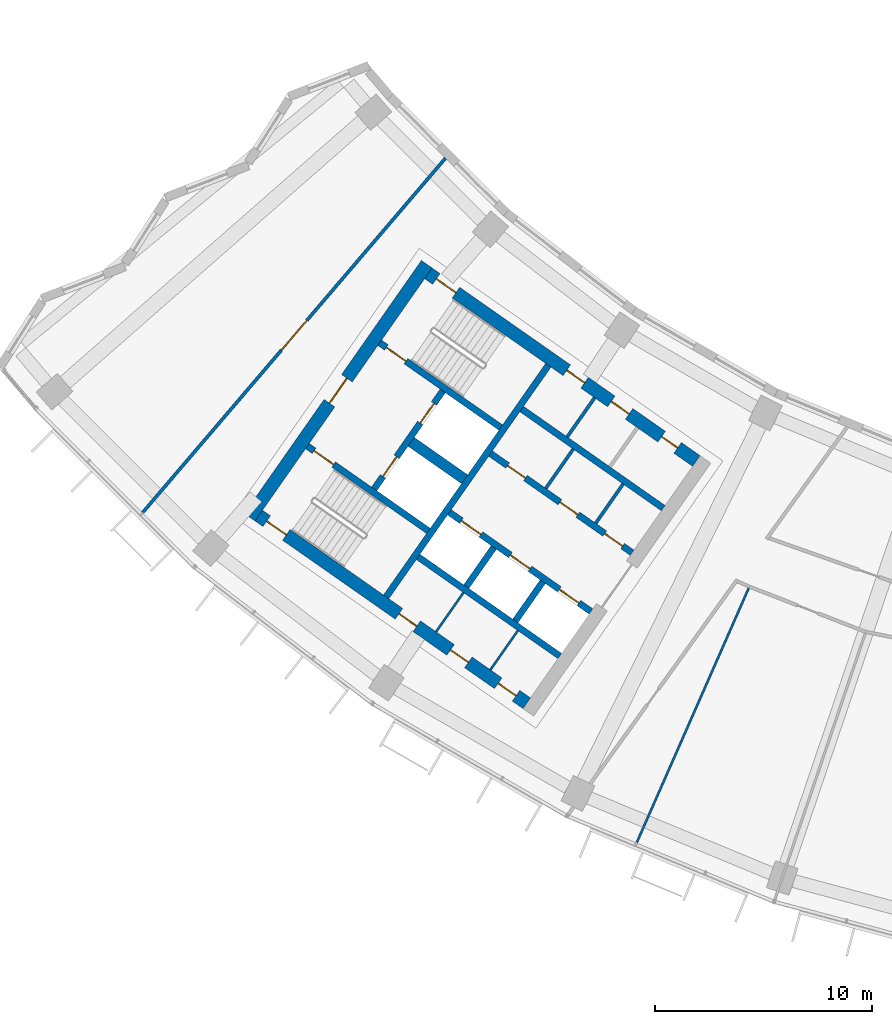
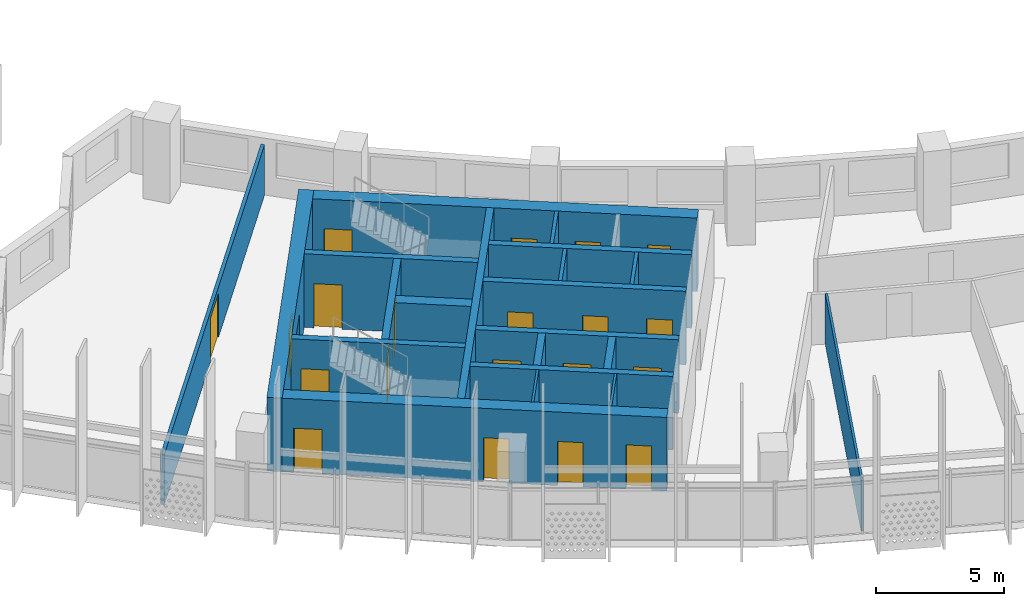
# One storey, part 3 of 27: 21 walls, 20 doors, 20 openings.
"""IFC4 building model written with IfcOpenShell, lengths in metres."""

from ifc_helpers import new_model, si_unit, direction, frame, frame_2d, origin, place, context, subcontext, project, spatial, rectangle, extrude, material, layer, layer_set, type_object, element, fill, save


model = new_model("IFC4")

# Units and contexts
model_context = context("Model", 3, precision=1e-05, world=origin(), true_north=direction((0.0, 1.0)))
body_context = subcontext(model_context, "Body", "Model", "MODEL_VIEW")
ifc_project = project(units=[si_unit("LENGTHUNIT", "METRE"), si_unit("AREAUNIT", "SQUARE_METRE"), si_unit("VOLUMEUNIT", "CUBIC_METRE"), si_unit("PLANEANGLEUNIT", "RADIAN"), si_unit("MASSUNIT", "GRAM", prefix="KILO")], contexts=[model_context])

# Site, building, storey
site_placement = place(None, origin())
site = spatial("IfcSite", under=ifc_project, at=site_placement, CompositionType="ELEMENT")
building_placement = place(site_placement, origin())
building = spatial("IfcBuilding", under=site, at=building_placement, Name="Qamariyya Broadcast Tower", CompositionType="ELEMENT")
storey_placement = place(building_placement, frame((0.0, 0.0, 172.10009765625)))
storey = spatial("IfcBuildingStorey", under=building, at=storey_placement, Name="L40", CompositionType="ELEMENT", Elevation=172.10009765625)

# Wall, opening, door
ifc_material_1 = material(Name="Concrete C60/75", Category="concrete")
ifc_layer_1 = layer(ifc_material_1, 0.60009765625)
ifc_layer_set_1 = layer_set([ifc_layer_1], Name="Core wall 600 mm Concrete C60/75")
wall_type_1 = type_object("IfcWallType", Name="Core wall 600 mm Concrete C60/75", PredefinedType="SHEAR", material=ifc_layer_set_1)
wall_1_placement = place(storey_placement, frame((-49.4833984375, -57.031494140625, 0.0), z_axis=(0.0, 0.0, 1.0), x_axis=(0.573560421458, 0.819163257805, 0.0)))
wall_1 = element("IfcWall", 1, at=wall_1_placement, inside=storey, type_object=wall_type_1, Name="k-W-L40-WH", PredefinedType="SHEAR", context=body_context, shape_type="SweptSolid", body=[
    extrude(rectangle(XDim=14.199951171875, YDim=0.60009765625, at=frame_2d((7.10009765625, 0.0))), origin(), (0.0, 0.0, 1.0), 3.5),
])
opening_1_placement = place(wall_1_placement, frame((6.39990234375, 0.0, 0.0)))
opening_1 = element("IfcOpeningElement", 2, at=opening_1_placement, cuts=wall_1, Name="Opening KD2-W1", PredefinedType="OPENING", context=body_context, shape_type="SweptSolid", body=[
    extrude(rectangle(XDim=1.39990234375, YDim=2.10009765625, at=frame_2d((0.699951171875, 1.050048828125))), frame((0.0, 0.31005859375, 0.0), z_axis=(0.0, -1.0, 0.0), x_axis=(1.0, 0.0, 0.0)), (0.0, 0.0, 1.0), 0.6201171875),
])
ifc_material_2 = material(Name="Steel fire-resisting door leaf", Category="steel")
door_type_1 = type_object("IfcDoorType", Name="Fire-fighting lobby door KD2", OperationType="DOUBLE_DOOR_SINGLE_SWING", PredefinedType="DOOR", material=ifc_material_2)
door_1_placement = place(opening_1_placement, origin())
door_1 = element("IfcDoor", 3, at=door_1_placement, inside=storey, type_object=door_type_1, Name="k-W-L40-WH-D16", OperationType="DOUBLE_DOOR_SINGLE_SWING", OverallHeight=2.10009765625, OverallWidth=1.39990234375, PredefinedType="DOOR", context=body_context, shape_type="SweptSolid", body=[
    extrude(rectangle(XDim=1.39990234375, YDim=2.10009765625, at=frame_2d((0.699951171875, 1.050048828125))), frame((0.0, 0.02490234375, 0.0), z_axis=(0.0, -1.0, 0.0), x_axis=(1.0, 0.0, 0.0)), (0.0, 0.0, 1.0), 0.050048828125),
])
fill(opening_1, door_1)

# Wall, openings, doors
wall_2_placement = place(storey_placement, frame((-28.940673828125, -54.447021484375, 0.0), z_axis=(0.0, 0.0, 1.0), x_axis=(-0.819153391756, 0.573574511963, 0.0)))
wall_2 = element("IfcWall", 4, at=wall_2_placement, inside=storey, type_object=wall_type_1, Name="k-W-L40-WI", PredefinedType="SHEAR", context=body_context, shape_type="SweptSolid", body=[
    extrude(rectangle(XDim=15.04541015625, YDim=0.60009765625, at=frame_2d((7.522705078125, 0.0))), origin(), (0.0, 0.0, 1.0), 3.5),
])
opening_2_placement = place(wall_2_placement, frame((1.050048828125, 0.0, 0.0)))
opening_2 = element("IfcOpeningElement", 5, at=opening_2_placement, cuts=wall_2, Name="Opening KD5-W1", PredefinedType="OPENING", context=body_context, shape_type="SweptSolid", body=[
    extrude(rectangle(XDim=0.89990234375, YDim=2.10009765625, at=frame_2d((0.449951171875, 1.050048828125))), frame((0.0, 0.31005859375, 0.0), z_axis=(0.0, -1.0, 0.0), x_axis=(1.0, 0.0, 0.0)), (0.0, 0.0, 1.0), 0.6201171875),
])
opening_3_placement = place(wall_2_placement, frame((3.77490234375, 0.0, 0.0)))
opening_3 = element("IfcOpeningElement", 6, at=opening_3_placement, cuts=wall_2, Name="Opening KD7-W1", PredefinedType="OPENING", context=body_context, shape_type="SweptSolid", body=[
    extrude(rectangle(XDim=1.0, YDim=2.10009765625, at=frame_2d((0.5, 1.050048828125))), frame((0.0, 0.31005859375, 0.0), z_axis=(0.0, -1.0, 0.0), x_axis=(1.0, 0.0, 0.0)), (0.0, 0.0, 1.0), 0.6201171875),
])
opening_4_placement = place(wall_2_placement, frame((6.27490234375, 0.0, 0.0)))
opening_4 = element("IfcOpeningElement", 7, at=opening_4_placement, cuts=wall_2, Name="Opening KD6-W3", PredefinedType="OPENING", context=body_context, shape_type="SweptSolid", body=[
    extrude(rectangle(XDim=1.0, YDim=2.10009765625, at=frame_2d((0.5, 1.050048828125))), frame((0.0, 0.31005859375, 0.0), z_axis=(0.0, -1.0, 0.0), x_axis=(1.0, 0.0, 0.0)), (0.0, 0.0, 1.0), 0.6201171875),
])
opening_5_placement = place(wall_2_placement, frame((13.495361328125, 0.0, 0.0)))
opening_5 = element("IfcOpeningElement", 8, at=opening_5_placement, cuts=wall_2, Name="Opening KD1-W1", PredefinedType="OPENING", context=body_context, shape_type="SweptSolid", body=[
    extrude(rectangle(XDim=1.10009765625, YDim=2.10009765625, at=frame_2d((0.550048828125, 1.050048828125))), frame((0.0, 0.31005859375, 0.0), z_axis=(0.0, -1.0, 0.0), x_axis=(1.0, 0.0, 0.0)), (0.0, 0.0, 1.0), 0.6201171875),
])
door_type_2 = type_object("IfcDoorType", Name="Accessible toilet door KD7", OperationType="SINGLE_SWING_LEFT", PredefinedType="DOOR", material=ifc_material_2)
door_2_placement = place(opening_3_placement, origin())
door_2 = element("IfcDoor", 9, at=door_2_placement, inside=storey, type_object=door_type_2, Name="k-W-L40-WI-D9", OperationType="SINGLE_SWING_RIGHT", OverallHeight=2.10009765625, OverallWidth=1.0, PredefinedType="DOOR", context=body_context, shape_type="SweptSolid", body=[
    extrude(rectangle(XDim=1.0, YDim=2.10009765625, at=frame_2d((0.5, 1.050048828125))), frame((0.0, 0.02490234375, 0.0), z_axis=(0.0, -1.0, 0.0), x_axis=(1.0, 0.0, 0.0)), (0.0, 0.0, 1.0), 0.050048828125),
])
fill(opening_3, door_2)
door_type_3 = type_object("IfcDoorType", Name="Core room door KD6", OperationType="SINGLE_SWING_LEFT", PredefinedType="DOOR", material=ifc_material_2)
door_3_placement = place(opening_4_placement, origin())
door_3 = element("IfcDoor", 10, at=door_3_placement, inside=storey, type_object=door_type_3, Name="k-W-L40-WI-D10", OperationType="SINGLE_SWING_LEFT", OverallHeight=2.10009765625, OverallWidth=1.0, PredefinedType="DOOR", context=body_context, shape_type="SweptSolid", body=[
    extrude(rectangle(XDim=1.0, YDim=2.10009765625, at=frame_2d((0.5, 1.050048828125))), frame((0.0, 0.02490234375, 0.0), z_axis=(0.0, -1.0, 0.0), x_axis=(1.0, 0.0, 0.0)), (0.0, 0.0, 1.0), 0.050048828125),
])
fill(opening_4, door_3)
door_type_4 = type_object("IfcDoorType", Name="Stair door KD1", OperationType="SINGLE_SWING_LEFT", PredefinedType="DOOR", material=ifc_material_2)
door_4_placement = place(opening_5_placement, origin())
door_4 = element("IfcDoor", 11, at=door_4_placement, inside=storey, type_object=door_type_4, Name="k-W-L40-WI-D17", OperationType="SINGLE_SWING_RIGHT", OverallHeight=2.10009765625, OverallWidth=1.10009765625, PredefinedType="DOOR", context=body_context, shape_type="SweptSolid", body=[
    extrude(rectangle(XDim=1.10009765625, YDim=2.10009765625, at=frame_2d((0.550048828125, 1.050048828125))), frame((0.0, 0.02490234375, 0.0), z_axis=(0.0, -1.0, 0.0), x_axis=(1.0, 0.0, 0.0)), (0.0, 0.0, 1.0), 0.050048828125),
])
fill(opening_5, door_4)
door_type_5 = type_object("IfcDoorType", Name="Toilet door KD5", OperationType="SINGLE_SWING_LEFT", PredefinedType="DOOR", material=ifc_material_2)
door_5_placement = place(opening_2_placement, origin())
door_5 = element("IfcDoor", 12, at=door_5_placement, inside=storey, type_object=door_type_5, Name="k-W-L40-WI-D8", OperationType="SINGLE_SWING_LEFT", OverallHeight=2.10009765625, OverallWidth=0.89990234375, PredefinedType="DOOR", context=body_context, shape_type="SweptSolid", body=[
    extrude(rectangle(XDim=0.89990234375, YDim=2.10009765625, at=frame_2d((0.449951171875, 1.050048828125))), frame((0.0, 0.02490234375, 0.0), z_axis=(0.0, -1.0, 0.0), x_axis=(1.0, 0.0, 0.0)), (0.0, 0.0, 1.0), 0.050048828125),
])
fill(opening_2, door_5)

wall_3_placement = place(storey_placement, frame((-36.7412109375, -65.58740234375, 0.0), z_axis=(0.0, 0.0, 1.0), x_axis=(-0.819153391756, 0.573574511963, 0.0)))
wall_3 = element("IfcWall", 13, at=wall_3_placement, inside=storey, type_object=wall_type_1, Name="k-W-L40-WO", PredefinedType="SHEAR", context=body_context, shape_type="SweptSolid", body=[
    extrude(rectangle(XDim=15.04541015625, YDim=0.60009765625, at=frame_2d((7.522705078125, 0.0))), origin(), (0.0, 0.0, 1.0), 3.5),
])
opening_6_placement = place(wall_3_placement, frame((0.60009765625, 0.0, 0.0)))
opening_6 = element("IfcOpeningElement", 14, at=opening_6_placement, cuts=wall_3, Name="Opening KD4-W2", PredefinedType="OPENING", context=body_context, shape_type="SweptSolid", body=[
    extrude(rectangle(XDim=1.0, YDim=2.10009765625, at=frame_2d((0.5, 1.050048828125))), frame((0.0, 0.31005859375, 0.0), z_axis=(0.0, -1.0, 0.0), x_axis=(1.0, 0.0, 0.0)), (0.0, 0.0, 1.0), 0.6201171875),
])
opening_7_placement = place(wall_3_placement, frame((3.27490234375, 0.0, 0.0)))
opening_7 = element("IfcOpeningElement", 15, at=opening_7_placement, cuts=wall_3, Name="Opening KD4-W3", PredefinedType="OPENING", context=body_context, shape_type="SweptSolid", body=[
    extrude(rectangle(XDim=1.0, YDim=2.10009765625, at=frame_2d((0.5, 1.050048828125))), frame((0.0, 0.31005859375, 0.0), z_axis=(0.0, -1.0, 0.0), x_axis=(1.0, 0.0, 0.0)), (0.0, 0.0, 1.0), 0.6201171875),
])
opening_8_placement = place(wall_3_placement, frame((6.175048828125, 0.0, 0.0)))
opening_8 = element("IfcOpeningElement", 16, at=opening_8_placement, cuts=wall_3, Name="Opening KD4-W4", PredefinedType="OPENING", context=body_context, shape_type="SweptSolid", body=[
    extrude(rectangle(XDim=1.0, YDim=2.10009765625, at=frame_2d((0.5, 1.050048828125))), frame((0.0, 0.31005859375, 0.0), z_axis=(0.0, -1.0, 0.0), x_axis=(1.0, 0.0, 0.0)), (0.0, 0.0, 1.0), 0.6201171875),
])
opening_9_placement = place(wall_3_placement, frame((13.495361328125, 0.0, 0.0)))
opening_9 = element("IfcOpeningElement", 17, at=opening_9_placement, cuts=wall_3, Name="Opening KD1-W3", PredefinedType="OPENING", context=body_context, shape_type="SweptSolid", body=[
    extrude(rectangle(XDim=1.10009765625, YDim=2.10009765625, at=frame_2d((0.550048828125, 1.050048828125))), frame((0.0, 0.31005859375, 0.0), z_axis=(0.0, -1.0, 0.0), x_axis=(1.0, 0.0, 0.0)), (0.0, 0.0, 1.0), 0.6201171875),
])
door_type_6 = type_object("IfcDoorType", Name="Riser and plant door KD4", OperationType="SINGLE_SWING_LEFT", PredefinedType="DOOR", material=ifc_material_2)
door_6_placement = place(opening_6_placement, origin())
door_6 = element("IfcDoor", 18, at=door_6_placement, inside=storey, type_object=door_type_6, Name="k-W-L40-WO-D11", OperationType="SINGLE_SWING_RIGHT", OverallHeight=2.10009765625, OverallWidth=1.0, PredefinedType="DOOR", context=body_context, shape_type="SweptSolid", body=[
    extrude(rectangle(XDim=1.0, YDim=2.10009765625, at=frame_2d((0.5, 1.050048828125))), frame((0.0, 0.02490234375, 0.0), z_axis=(0.0, -1.0, 0.0), x_axis=(1.0, 0.0, 0.0)), (0.0, 0.0, 1.0), 0.050048828125),
])
fill(opening_6, door_6)
door_7_placement = place(opening_7_placement, origin())
door_7 = element("IfcDoor", 19, at=door_7_placement, inside=storey, type_object=door_type_6, Name="k-W-L40-WO-D12", OperationType="SINGLE_SWING_LEFT", OverallHeight=2.10009765625, OverallWidth=1.0, PredefinedType="DOOR", context=body_context, shape_type="SweptSolid", body=[
    extrude(rectangle(XDim=1.0, YDim=2.10009765625, at=frame_2d((0.5, 1.050048828125))), frame((0.0, 0.02490234375, 0.0), z_axis=(0.0, -1.0, 0.0), x_axis=(1.0, 0.0, 0.0)), (0.0, 0.0, 1.0), 0.050048828125),
])
fill(opening_7, door_7)
door_8_placement = place(opening_8_placement, origin())
door_8 = element("IfcDoor", 20, at=door_8_placement, inside=storey, type_object=door_type_6, Name="k-W-L40-WO-D13", OperationType="SINGLE_SWING_RIGHT", OverallHeight=2.10009765625, OverallWidth=1.0, PredefinedType="DOOR", context=body_context, shape_type="SweptSolid", body=[
    extrude(rectangle(XDim=1.0, YDim=2.10009765625, at=frame_2d((0.5, 1.050048828125))), frame((0.0, 0.02490234375, 0.0), z_axis=(0.0, -1.0, 0.0), x_axis=(1.0, 0.0, 0.0)), (0.0, 0.0, 1.0), 0.050048828125),
])
fill(opening_8, door_8)
door_9_placement = place(opening_9_placement, origin())
door_9 = element("IfcDoor", 21, at=door_9_placement, inside=storey, type_object=door_type_4, Name="k-W-L40-WO-D19", OperationType="SINGLE_SWING_LEFT", OverallHeight=2.10009765625, OverallWidth=1.10009765625, PredefinedType="DOOR", context=body_context, shape_type="SweptSolid", body=[
    extrude(rectangle(XDim=1.10009765625, YDim=2.10009765625, at=frame_2d((0.550048828125, 1.050048828125))), frame((0.0, 0.02490234375, 0.0), z_axis=(0.0, -1.0, 0.0), x_axis=(1.0, 0.0, 0.0)), (0.0, 0.0, 1.0), 0.050048828125),
])
fill(opening_9, door_9)

# Wall, opening, door
ifc_material_3 = material(Name="Gypsum board partition")
ifc_layer_2 = layer(ifc_material_3, 0.14990234375)
ifc_layer_set_2 = layer_set([ifc_layer_2], Name="Corridor partition 150 EI 60")
wall_type_2 = type_object("IfcWallType", Name="Corridor partition 150 EI 60", PredefinedType="PARTITIONING", material=ifc_layer_set_2)
wall_4_placement = place(storey_placement, frame((-54.39404296875, -56.8076171875, 0.0), z_axis=(0.0, 0.0, 1.0), x_axis=(0.649633284071, 0.760247720303, 0.0)))
wall_4 = element("IfcWall", 22, at=wall_4_placement, inside=storey, type_object=wall_type_2, Name="Partition L40-001", PredefinedType="PARTITIONING", context=body_context, shape_type="SweptSolid", body=[
    extrude(rectangle(XDim=21.420166015625, YDim=0.14990234375, at=frame_2d((10.7099609375, 0.0))), origin(), (0.0, 0.0, 1.0), 2.39990234375),
])
opening_10_placement = place(wall_4_placement, frame((9.81005859375, 0.0, 0.0)))
opening_10 = element("IfcOpeningElement", 23, at=opening_10_placement, cuts=wall_4, Name="Opening L40-D12", PredefinedType="OPENING", context=body_context, shape_type="SweptSolid", body=[
    extrude(rectangle(XDim=1.800048828125, YDim=2.10009765625, at=frame_2d((0.89990234375, 1.050048828125))), frame((0.0, 0.0849609375, 0.0), z_axis=(0.0, -1.0, 0.0), x_axis=(1.0, 0.0, 0.0)), (0.0, 0.0, 1.0), 0.169921875),
])
ifc_material_4 = material(Name="Timber fire door leaf", Category="wood")
door_type_7 = type_object("IfcDoorType", Name="Double fire door 1800 x 2100 FD60", OperationType="NOTDEFINED", PredefinedType="DOOR", material=ifc_material_4)
door_10_placement = place(opening_10_placement, origin())
door_10 = element("IfcDoor", 24, at=door_10_placement, inside=storey, type_object=door_type_7, Name="Door L40-D12", OperationType="DOUBLE_DOOR_SINGLE_SWING", OverallHeight=2.10009765625, OverallWidth=1.800048828125, PredefinedType="DOOR", context=body_context, shape_type="SweptSolid", body=[
    extrude(rectangle(XDim=1.800048828125, YDim=2.10009765625, at=frame_2d((0.89990234375, 1.050048828125))), frame((0.0, 0.02490234375, 0.0), z_axis=(0.0, -1.0, 0.0), x_axis=(1.0, 0.0, 0.0)), (0.0, 0.0, 1.0), 0.050048828125),
])
fill(opening_10, door_10)

# Walls
ifc_layer_3 = layer(ifc_material_1, 0.5)
ifc_layer_set_3 = layer_set([ifc_layer_3], Name="Fire-fighting lobby divider wall 500 mm Concrete C60/75")
wall_type_3 = type_object("IfcWallType", Name="Fire-fighting lobby divider wall 500 mm Concrete C60/75", PredefinedType="SOLIDWALL", material=ifc_layer_set_3)
wall_5_placement = place(storey_placement, frame((-39.59912109375, -55.28515625, 0.0), z_axis=(0.0, 0.0, 1.0), x_axis=(-0.819136323161, 0.573598887793, 0.0)))
element("IfcWall", 25, at=wall_5_placement, inside=storey, type_object=wall_type_3, Name="k-W-L40-FD", PredefinedType="SOLIDWALL", context=body_context, shape_type="SweptSolid", body=[
    extrude(rectangle(XDim=2.999755859375, YDim=0.5, at=frame_2d((1.5, 0.0))), origin(), (0.0, 0.0, 1.0), 3.5),
])
ifc_material_5 = material(Name="Gypsum board partition on steel studs", Category="steel")
ifc_layer_4 = layer(ifc_material_5, 0.14990234375)
ifc_layer_set_4 = layer_set([ifc_layer_4], Name="Gypsum board partition 150 mm")
wall_type_4 = type_object("IfcWallType", Name="Gypsum board partition 150 mm", PredefinedType="PARTITIONING", material=ifc_layer_set_4)
for number, where, z_axis, x_axis, name in (
    (26, (-33.569580078125, -57.3095703125, 0.0), (0.0, 0.0, 1.0), (0.573507030513, 0.819200638399, 0.0), "k-W-L40-NC215"),
    (27, (-35.86328125, -55.70361328125, 0.0), (0.0, 0.0, 1.0), (0.573507030513, 0.819200638399, 0.0), "k-W-L40-NC495"),
):
    element("IfcWall", number, at=place(storey_placement, frame(where, z_axis=z_axis, x_axis=x_axis)), inside=storey, type_object=wall_type_4, Name=name, PredefinedType="PARTITIONING", context=body_context, shape_type="SweptSolid", body=[
        extrude(rectangle(XDim=2.199951171875, YDim=0.14990234375, at=frame_2d((1.10009765625, 0.0))), origin(), (0.0, 0.0, 1.0), 3.5),
    ])
wall_6_placement = place(storey_placement, frame((-34.8798828125, -53.340087890625, 0.0), z_axis=(0.0, 0.0, 1.0), x_axis=(0.573559170999, 0.819164133348, 0.0)))
element("IfcWall", 28, at=wall_6_placement, inside=storey, type_object=wall_type_4, Name="k-W-L40-NP550", PredefinedType="PARTITIONING", context=body_context, shape_type="SweptSolid", body=[
    extrude(rectangle(XDim=2.19970703125, YDim=0.14990234375, at=frame_2d((1.099853515625, 0.0))), origin(), (0.0, 0.0, 1.0), 3.5),
])
ifc_layer_5 = layer(ifc_material_1, 0.300048828125)
ifc_layer_set_5 = layer_set([ifc_layer_5], Name="Lift shaft wall 300 mm Concrete C60/75")
wall_type_5 = type_object("IfcWallType", Name="Lift shaft wall 300 mm Concrete C60/75", PredefinedType="SOLIDWALL", material=ifc_layer_set_5)
wall_7_placement = place(storey_placement, frame((-43.204345703125, -60.69580078125, 0.0), z_axis=(0.0, 0.0, 1.0), x_axis=(0.573571992966, 0.819155155563, 0.0)))
element("IfcWall", 29, at=wall_7_placement, inside=storey, type_object=wall_type_5, Name="k-W-L40-WL", PredefinedType="SOLIDWALL", context=body_context, shape_type="SweptSolid", body=[
    extrude(rectangle(XDim=13.000244140625, YDim=0.300048828125, at=frame_2d((6.5, 0.0))), origin(), (0.0, 0.0, 1.0), 3.5),
])

# Wall, openings, doors
wall_8_placement = place(storey_placement, frame((-31.89453125, -58.66552734375, 0.0), z_axis=(0.0, 0.0, 1.0), x_axis=(-0.819166993208, 0.573555086491, 0.0)))
wall_8 = element("IfcWall", 30, at=wall_8_placement, inside=storey, type_object=wall_type_5, Name="k-W-L40-NF0", PredefinedType="SOLIDWALL", context=body_context, shape_type="SweptSolid", body=[
    extrude(rectangle(XDim=7.9501953125, YDim=0.300048828125, at=frame_2d((3.97509765625, 0.0))), origin(), (0.0, 0.0, 1.0), 3.5),
])
opening_11_placement = place(wall_8_placement, frame((0.53759765625, 0.0, 0.0)))
opening_11 = element("IfcOpeningElement", 31, at=opening_11_placement, cuts=wall_8, Name="Opening KD6-W1", PredefinedType="OPENING", context=body_context, shape_type="SweptSolid", body=[
    extrude(rectangle(XDim=1.0, YDim=2.10009765625, at=frame_2d((0.5, 1.050048828125))), frame((0.0, 0.159912109375, 0.0), z_axis=(0.0, -1.0, 0.0), x_axis=(1.0, 0.0, 0.0)), (0.0, 0.0, 1.0), 0.320068359375),
])
opening_12_placement = place(wall_8_placement, frame((3.050048828125, 0.0, 0.0)))
opening_12 = element("IfcOpeningElement", 32, at=opening_12_placement, cuts=wall_8, Name="Opening KD6-W2", PredefinedType="OPENING", context=body_context, shape_type="SweptSolid", body=[
    extrude(rectangle(XDim=1.0, YDim=2.10009765625, at=frame_2d((0.5, 1.050048828125))), frame((0.0, 0.159912109375, 0.0), z_axis=(0.0, -1.0, 0.0), x_axis=(1.0, 0.0, 0.0)), (0.0, 0.0, 1.0), 0.320068359375),
])
opening_13_placement = place(wall_8_placement, frame((5.987548828125, 0.0, 0.0)))
opening_13 = element("IfcOpeningElement", 33, at=opening_13_placement, cuts=wall_8, Name="Opening KD4-W1", PredefinedType="OPENING", context=body_context, shape_type="SweptSolid", body=[
    extrude(rectangle(XDim=1.0, YDim=2.10009765625, at=frame_2d((0.5, 1.050048828125))), frame((0.0, 0.159912109375, 0.0), z_axis=(0.0, -1.0, 0.0), x_axis=(1.0, 0.0, 0.0)), (0.0, 0.0, 1.0), 0.320068359375),
])
door_11_placement = place(opening_11_placement, origin())
door_11 = element("IfcDoor", 34, at=door_11_placement, inside=storey, type_object=door_type_3, Name="k-W-L40-NF0-D2", OperationType="SINGLE_SWING_LEFT", OverallHeight=2.10009765625, OverallWidth=1.0, PredefinedType="DOOR", context=body_context, shape_type="SweptSolid", body=[
    extrude(rectangle(XDim=1.0, YDim=2.10009765625, at=frame_2d((0.5, 1.050048828125))), frame((0.0, 0.02490234375, 0.0), z_axis=(0.0, -1.0, 0.0), x_axis=(1.0, 0.0, 0.0)), (0.0, 0.0, 1.0), 0.050048828125),
])
fill(opening_11, door_11)
door_12_placement = place(opening_12_placement, origin())
door_12 = element("IfcDoor", 35, at=door_12_placement, inside=storey, type_object=door_type_3, Name="k-W-L40-NF0-D3", OperationType="SINGLE_SWING_RIGHT", OverallHeight=2.10009765625, OverallWidth=1.0, PredefinedType="DOOR", context=body_context, shape_type="SweptSolid", body=[
    extrude(rectangle(XDim=1.0, YDim=2.10009765625, at=frame_2d((0.5, 1.050048828125))), frame((0.0, 0.02490234375, 0.0), z_axis=(0.0, -1.0, 0.0), x_axis=(1.0, 0.0, 0.0)), (0.0, 0.0, 1.0), 0.050048828125),
])
fill(opening_12, door_12)
door_13_placement = place(opening_13_placement, origin())
door_13 = element("IfcDoor", 36, at=door_13_placement, inside=storey, type_object=door_type_6, Name="k-W-L40-NF0-D4", OperationType="SINGLE_SWING_LEFT", OverallHeight=2.10009765625, OverallWidth=1.0, PredefinedType="DOOR", context=body_context, shape_type="SweptSolid", body=[
    extrude(rectangle(XDim=1.0, YDim=2.10009765625, at=frame_2d((0.5, 1.050048828125))), frame((0.0, 0.02490234375, 0.0), z_axis=(0.0, -1.0, 0.0), x_axis=(1.0, 0.0, 0.0)), (0.0, 0.0, 1.0), 0.050048828125),
])
fill(opening_13, door_13)

# Wall
wall_9_placement = place(storey_placement, frame((-30.460693359375, -56.61767578125, 0.0), z_axis=(0.0, 0.0, 1.0), x_axis=(-0.819142461705, 0.573590121456, 0.0)))
element("IfcWall", 37, at=wall_9_placement, inside=storey, type_object=wall_type_5, Name="k-W-L40-NB0", PredefinedType="SOLIDWALL", context=body_context, shape_type="SweptSolid", body=[
    extrude(rectangle(XDim=7.949951171875, YDim=0.300048828125, at=frame_2d((3.97509765625, 0.0))), origin(), (0.0, 0.0, 1.0), 3.5),
])

# Wall, openings, doors
wall_10_placement = place(storey_placement, frame((-33.787353515625, -61.368896484375, 0.0), z_axis=(0.0, 0.0, 1.0), x_axis=(-0.819152564888, 0.573575692858, 0.0)))
wall_10 = element("IfcWall", 38, at=wall_10_placement, inside=storey, type_object=wall_type_5, Name="k-W-L40-SF0", PredefinedType="SOLIDWALL", context=body_context, shape_type="SweptSolid", body=[
    extrude(rectangle(XDim=7.9501953125, YDim=0.300048828125, at=frame_2d((3.97509765625, 0.0))), origin(), (0.0, 0.0, 1.0), 3.5),
])
opening_14_placement = place(wall_10_placement, frame((0.675048828125, 0.0, 0.0)))
opening_14 = element("IfcOpeningElement", 39, at=opening_14_placement, cuts=wall_10, Name="Opening LD", PredefinedType="OPENING", context=body_context, shape_type="SweptSolid", body=[
    extrude(rectangle(XDim=1.10009765625, YDim=2.10009765625, at=frame_2d((0.550048828125, 1.050048828125))), frame((0.0, 0.159912109375, 0.0), z_axis=(0.0, -1.0, 0.0), x_axis=(1.0, 0.0, 0.0)), (0.0, 0.0, 1.0), 0.320068359375),
])
opening_15_placement = place(wall_10_placement, frame((3.425048828125, 0.0, 0.0)))
opening_15 = element("IfcOpeningElement", 40, at=opening_15_placement, cuts=wall_10, Name="Opening LD", PredefinedType="OPENING", context=body_context, shape_type="SweptSolid", body=[
    extrude(rectangle(XDim=1.10009765625, YDim=2.10009765625, at=frame_2d((0.550048828125, 1.050048828125))), frame((0.0, 0.159912109375, 0.0), z_axis=(0.0, -1.0, 0.0), x_axis=(1.0, 0.0, 0.0)), (0.0, 0.0, 1.0), 0.320068359375),
])
opening_16_placement = place(wall_10_placement, frame((6.175048828125, 0.0, 0.0)))
opening_16 = element("IfcOpeningElement", 41, at=opening_16_placement, cuts=wall_10, Name="Opening LD", PredefinedType="OPENING", context=body_context, shape_type="SweptSolid", body=[
    extrude(rectangle(XDim=1.10009765625, YDim=2.10009765625, at=frame_2d((0.550048828125, 1.050048828125))), frame((0.0, 0.159912109375, 0.0), z_axis=(0.0, -1.0, 0.0), x_axis=(1.0, 0.0, 0.0)), (0.0, 0.0, 1.0), 0.320068359375),
])
door_type_8 = type_object("IfcDoorType", Name="Lift landing door LD", OperationType="DOUBLE_DOOR_SLIDING", PredefinedType="DOOR", material=ifc_material_2)
door_14_placement = place(opening_14_placement, origin())
door_14 = element("IfcDoor", 42, at=door_14_placement, inside=storey, type_object=door_type_8, Name="k-W-L40-SF0-D5", OperationType="DOUBLE_DOOR_SLIDING", OverallHeight=2.10009765625, OverallWidth=1.10009765625, PredefinedType="DOOR", context=body_context, shape_type="SweptSolid", body=[
    extrude(rectangle(XDim=1.10009765625, YDim=2.10009765625, at=frame_2d((0.550048828125, 1.050048828125))), frame((0.0, 0.02490234375, 0.0), z_axis=(0.0, -1.0, 0.0), x_axis=(1.0, 0.0, 0.0)), (0.0, 0.0, 1.0), 0.050048828125),
])
fill(opening_14, door_14)
door_15_placement = place(opening_15_placement, origin())
door_15 = element("IfcDoor", 43, at=door_15_placement, inside=storey, type_object=door_type_8, Name="k-W-L40-SF0-D6", OperationType="DOUBLE_DOOR_SLIDING", OverallHeight=2.10009765625, OverallWidth=1.10009765625, PredefinedType="DOOR", context=body_context, shape_type="SweptSolid", body=[
    extrude(rectangle(XDim=1.10009765625, YDim=2.10009765625, at=frame_2d((0.550048828125, 1.050048828125))), frame((0.0, 0.02490234375, 0.0), z_axis=(0.0, -1.0, 0.0), x_axis=(1.0, 0.0, 0.0)), (0.0, 0.0, 1.0), 0.050048828125),
])
fill(opening_15, door_15)
door_16_placement = place(opening_16_placement, origin())
door_16 = element("IfcDoor", 44, at=door_16_placement, inside=storey, type_object=door_type_8, Name="k-W-L40-SF0-D7", OperationType="DOUBLE_DOOR_SLIDING", OverallHeight=2.10009765625, OverallWidth=1.10009765625, PredefinedType="DOOR", context=body_context, shape_type="SweptSolid", body=[
    extrude(rectangle(XDim=1.10009765625, YDim=2.10009765625, at=frame_2d((0.550048828125, 1.050048828125))), frame((0.0, 0.02490234375, 0.0), z_axis=(0.0, -1.0, 0.0), x_axis=(1.0, 0.0, 0.0)), (0.0, 0.0, 1.0), 0.050048828125),
])
fill(opening_16, door_16)

# Walls
wall_11_placement = place(storey_placement, frame((-35.22119140625, -63.41650390625, 0.0), z_axis=(0.0, 0.0, 1.0), x_axis=(-0.819166993208, 0.573555086491, 0.0)))
element("IfcWall", 45, at=wall_11_placement, inside=storey, type_object=wall_type_5, Name="k-W-L40-SB0", PredefinedType="SOLIDWALL", context=body_context, shape_type="SweptSolid", body=[
    extrude(rectangle(XDim=7.9501953125, YDim=0.300048828125, at=frame_2d((3.97509765625, 0.0))), origin(), (0.0, 0.0, 1.0), 3.5),
])
wall_12_placement = place(storey_placement, frame((-36.003173828125, -60.000244140625, 0.0), z_axis=(0.0, 0.0, 1.0), x_axis=(-0.573581496053, -0.819148501424, 0.0)))
element("IfcWall", 46, at=wall_12_placement, inside=storey, type_object=wall_type_5, Name="k-W-L40-SD0", PredefinedType="SOLIDWALL", context=body_context, shape_type="SweptSolid", body=[
    extrude(rectangle(XDim=2.2001953125, YDim=0.300048828125, at=frame_2d((1.10009765625, 0.0))), origin(), (0.0, 0.0, 1.0), 3.5),
])
wall_13_placement = place(storey_placement, frame((-38.255859375, -58.423095703125, 0.0), z_axis=(0.0, 0.0, 1.0), x_axis=(-0.573633636671, -0.819111989218, 0.0)))
element("IfcWall", 47, at=wall_13_placement, inside=storey, type_object=wall_type_5, Name="k-W-L40-SD1", PredefinedType="SOLIDWALL", context=body_context, shape_type="SweptSolid", body=[
    extrude(rectangle(XDim=2.199951171875, YDim=0.300048828125, at=frame_2d((1.10009765625, 0.0))), origin(), (0.0, 0.0, 1.0), 3.5),
])

# Wall, opening, door
wall_14_placement = place(storey_placement, frame((-37.935546875, -52.90966796875, 0.0), z_axis=(0.0, 0.0, 1.0), x_axis=(-0.819147518138, 0.57358290031, 0.0)))
wall_14 = element("IfcWall", 48, at=wall_14_placement, inside=storey, type_object=wall_type_5, Name="k-W-L40-NW", PredefinedType="SOLIDWALL", context=body_context, shape_type="SweptSolid", body=[
    extrude(rectangle(XDim=6.79541015625, YDim=0.300048828125, at=frame_2d((3.397705078125, 0.0))), origin(), (0.0, 0.0, 1.0), 3.5),
])
opening_17_placement = place(wall_14_placement, frame((5.3203125, 0.0, 0.0)))
opening_17 = element("IfcOpeningElement", 49, at=opening_17_placement, cuts=wall_14, Name="Opening KD1-W2", PredefinedType="OPENING", context=body_context, shape_type="SweptSolid", body=[
    extrude(rectangle(XDim=1.10009765625, YDim=2.10009765625, at=frame_2d((0.550048828125, 1.050048828125))), frame((0.0, 0.159912109375, 0.0), z_axis=(0.0, -1.0, 0.0), x_axis=(1.0, 0.0, 0.0)), (0.0, 0.0, 1.0), 0.320068359375),
])
door_17_placement = place(opening_17_placement, origin())
door_17 = element("IfcDoor", 50, at=door_17_placement, inside=storey, type_object=door_type_4, Name="k-W-L40-NW-D18", OperationType="SINGLE_SWING_LEFT", OverallHeight=2.10009765625, OverallWidth=1.10009765625, PredefinedType="DOOR", context=body_context, shape_type="SweptSolid", body=[
    extrude(rectangle(XDim=1.10009765625, YDim=2.10009765625, at=frame_2d((0.550048828125, 1.050048828125))), frame((0.0, 0.02490234375, 0.0), z_axis=(0.0, -1.0, 0.0), x_axis=(1.0, 0.0, 0.0)), (0.0, 0.0, 1.0), 0.050048828125),
])
fill(opening_17, door_17)

wall_15_placement = place(storey_placement, frame((-41.262451171875, -57.66064453125, 0.0), z_axis=(0.0, 0.0, 1.0), x_axis=(-0.819164398642, 0.573558792102, 0.0)))
wall_15 = element("IfcWall", 51, at=wall_15_placement, inside=storey, type_object=wall_type_5, Name="k-W-L40-SW", PredefinedType="SOLIDWALL", context=body_context, shape_type="SweptSolid", body=[
    extrude(rectangle(XDim=6.795166015625, YDim=0.300048828125, at=frame_2d((3.3974609375, 0.0))), origin(), (0.0, 0.0, 1.0), 3.5),
])
opening_18_placement = place(wall_15_placement, frame((5.3203125, 0.0, 0.0)))
opening_18 = element("IfcOpeningElement", 52, at=opening_18_placement, cuts=wall_15, Name="Opening KD1-W4", PredefinedType="OPENING", context=body_context, shape_type="SweptSolid", body=[
    extrude(rectangle(XDim=1.10009765625, YDim=2.10009765625, at=frame_2d((0.550048828125, 1.050048828125))), frame((0.0, 0.159912109375, 0.0), z_axis=(0.0, -1.0, 0.0), x_axis=(1.0, 0.0, 0.0)), (0.0, 0.0, 1.0), 0.320068359375),
])
door_18_placement = place(opening_18_placement, origin())
door_18 = element("IfcDoor", 53, at=door_18_placement, inside=storey, type_object=door_type_4, Name="k-W-L40-SW-D20", OperationType="SINGLE_SWING_LEFT", OverallHeight=2.10009765625, OverallWidth=1.10009765625, PredefinedType="DOOR", context=body_context, shape_type="SweptSolid", body=[
    extrude(rectangle(XDim=1.10009765625, YDim=2.10009765625, at=frame_2d((0.550048828125, 1.050048828125))), frame((0.0, 0.02490234375, 0.0), z_axis=(0.0, -1.0, 0.0), x_axis=(1.0, 0.0, 0.0)), (0.0, 0.0, 1.0), 0.050048828125),
])
fill(opening_18, door_18)

# Wall, openings, doors
wall_16_placement = place(storey_placement, frame((-43.756591796875, -55.731201171875, 0.0), z_axis=(0.0, 0.0, 1.0), x_axis=(0.573536818435, 0.819179783625, 0.0)))
wall_16 = element("IfcWall", 54, at=wall_16_placement, inside=storey, type_object=wall_type_5, Name="k-W-L40-FF", PredefinedType="SOLIDWALL", context=body_context, shape_type="SweptSolid", body=[
    extrude(rectangle(XDim=5.500244140625, YDim=0.300048828125, at=frame_2d((2.75, 0.0))), origin(), (0.0, 0.0, 1.0), 3.5),
])
opening_19_placement = place(wall_16_placement, frame((0.699951171875, 0.0, 0.0)))
opening_19 = element("IfcOpeningElement", 55, at=opening_19_placement, cuts=wall_16, Name="Opening LD", PredefinedType="OPENING", context=body_context, shape_type="SweptSolid", body=[
    extrude(rectangle(XDim=1.10009765625, YDim=2.10009765625, at=frame_2d((0.550048828125, 1.050048828125))), frame((0.0, 0.159912109375, 0.0), z_axis=(0.0, -1.0, 0.0), x_axis=(1.0, 0.0, 0.0)), (0.0, 0.0, 1.0), 0.320068359375),
])
opening_20_placement = place(wall_16_placement, frame((3.699951171875, 0.0, 0.0)))
opening_20 = element("IfcOpeningElement", 56, at=opening_20_placement, cuts=wall_16, Name="Opening LD", PredefinedType="OPENING", context=body_context, shape_type="SweptSolid", body=[
    extrude(rectangle(XDim=1.10009765625, YDim=2.10009765625, at=frame_2d((0.550048828125, 1.050048828125))), frame((0.0, 0.159912109375, 0.0), z_axis=(0.0, -1.0, 0.0), x_axis=(1.0, 0.0, 0.0)), (0.0, 0.0, 1.0), 0.320068359375),
])
door_19_placement = place(opening_19_placement, origin())
door_19 = element("IfcDoor", 57, at=door_19_placement, inside=storey, type_object=door_type_8, Name="k-W-L40-FF-D14", OperationType="DOUBLE_DOOR_SLIDING", OverallHeight=2.10009765625, OverallWidth=1.10009765625, PredefinedType="DOOR", context=body_context, shape_type="SweptSolid", body=[
    extrude(rectangle(XDim=1.10009765625, YDim=2.10009765625, at=frame_2d((0.550048828125, 1.050048828125))), frame((0.0, 0.02490234375, 0.0), z_axis=(0.0, -1.0, 0.0), x_axis=(1.0, 0.0, 0.0)), (0.0, 0.0, 1.0), 0.050048828125),
])
fill(opening_19, door_19)
door_20_placement = place(opening_20_placement, origin())
door_20 = element("IfcDoor", 58, at=door_20_placement, inside=storey, type_object=door_type_8, Name="k-W-L40-FF-D15", OperationType="DOUBLE_DOOR_SLIDING", OverallHeight=2.10009765625, OverallWidth=1.10009765625, PredefinedType="DOOR", context=body_context, shape_type="SweptSolid", body=[
    extrude(rectangle(XDim=1.10009765625, YDim=2.10009765625, at=frame_2d((0.550048828125, 1.050048828125))), frame((0.0, 0.02490234375, 0.0), z_axis=(0.0, -1.0, 0.0), x_axis=(1.0, 0.0, 0.0)), (0.0, 0.0, 1.0), 0.050048828125),
])
fill(opening_20, door_20)

# Walls
ifc_layer_6 = layer(ifc_material_3, 0.10009765625)
ifc_layer_set_6 = layer_set([ifc_layer_6], Name="Partition 100")
wall_type_6 = type_object("IfcWallType", Name="Partition 100", PredefinedType="PARTITIONING", material=ifc_layer_set_6)
wall_17_placement = place(storey_placement, frame((-31.677978515625, -71.988037109375, 0.0), z_axis=(0.0, 0.0, 1.0), x_axis=(0.402771917978, 0.915300378066, 0.0)))
element("IfcWall", 59, at=wall_17_placement, inside=storey, type_object=wall_type_6, Name="Partition L40-002", PredefinedType="PARTITIONING", context=body_context, shape_type="SweptSolid", body=[
    extrude(rectangle(XDim=12.774658203125, YDim=0.10009765625, at=frame_2d((6.38720703125, 0.0))), origin(), (0.0, 0.0, 1.0), 2.39990234375),
])
ifc_material_6 = material(Name="Fire-rated gypsum shaft liner on steel studs", Category="steel")
ifc_layer_7 = layer(ifc_material_6, 0.10009765625)
ifc_layer_set_7 = layer_set([ifc_layer_7], Name="Riser wall 100 mm")
wall_type_7 = type_object("IfcWallType", Name="Riser wall 100 mm", PredefinedType="PLUMBINGWALL", material=ifc_layer_set_7)
for number, where, z_axis, x_axis, name in (
    (60, (-37.150390625, -62.2490234375, 0.0), (0.0, 0.0, 1.0), (-0.573633636671, -0.819111989218, 0.0), "k-W-L40-SP225"),
    (61, (-39.64892578125, -60.49951171875, 0.0), (0.0, 0.0, 1.0), (-0.573507030513, -0.819200638399, 0.0), "k-W-L40-SP530"),
):
    element("IfcWall", number, at=place(storey_placement, frame(where, z_axis=z_axis, x_axis=x_axis)), inside=storey, type_object=wall_type_7, Name=name, PredefinedType="PLUMBINGWALL", context=body_context, shape_type="SweptSolid", body=[
        extrude(rectangle(XDim=2.199951171875, YDim=0.10009765625, at=frame_2d((1.10009765625, 0.0))), origin(), (0.0, 0.0, 1.0), 3.5),
    ])

save(model, "model.ifc")
